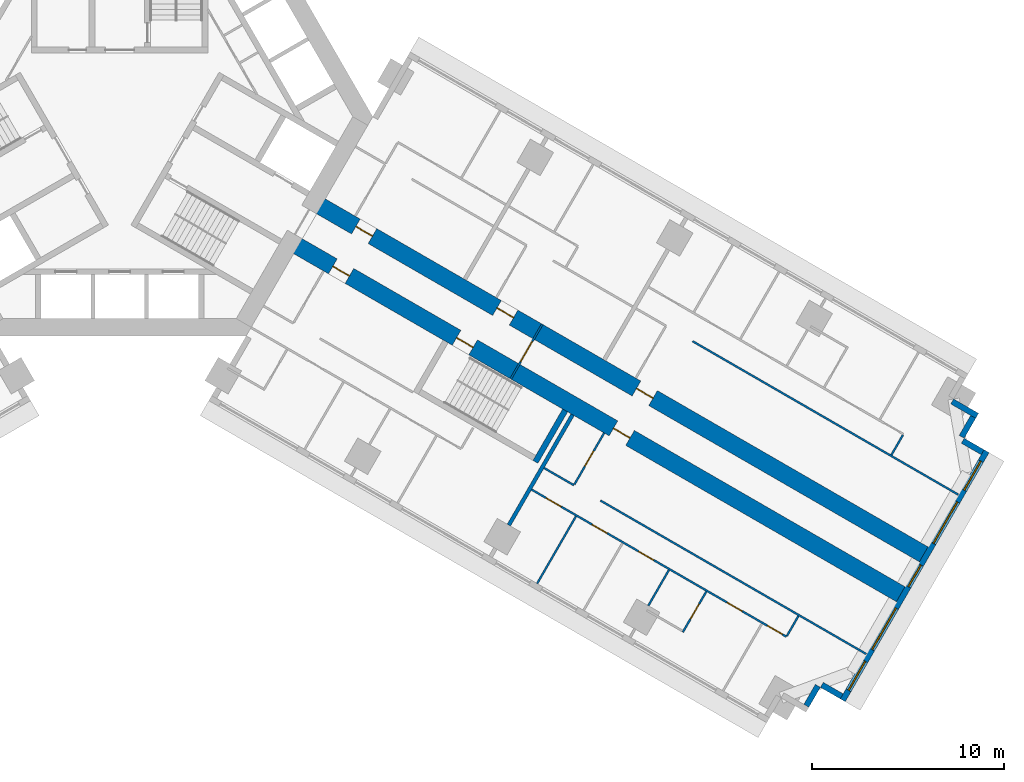
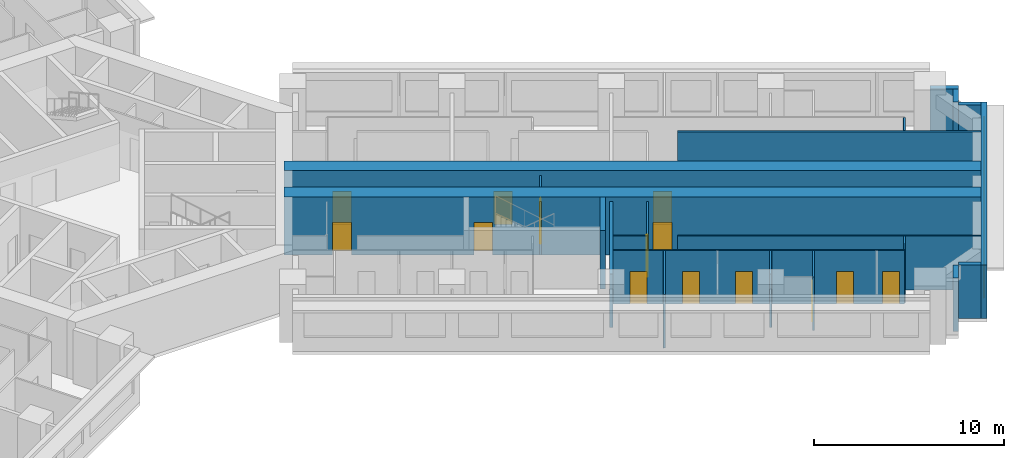
# One storey, part 10 of 14: 21 walls, 14 doors, 5 windows, 19 openings.
"""IFC4 building model written with IfcOpenShell, lengths in metres."""

from ifc_helpers import new_model, si_unit, direction, frame, frame_2d, origin, place, context, subcontext, project, spatial, rectangle, extrude, material, layer, layer_set, type_object, element, fill, save


model = new_model("IFC4")

# Units and contexts
model_context = context("Model", 3, precision=1e-05, world=origin(), true_north=direction((0.0, 1.0)))
body_context = subcontext(model_context, "Body", "Model", "MODEL_VIEW")
ifc_project = project(units=[si_unit("LENGTHUNIT", "METRE"), si_unit("AREAUNIT", "SQUARE_METRE"), si_unit("VOLUMEUNIT", "CUBIC_METRE"), si_unit("PLANEANGLEUNIT", "RADIAN"), si_unit("MASSUNIT", "GRAM", prefix="KILO")], contexts=[model_context])

# Site, building, storey
site_placement = place(None, origin())
site = spatial("IfcSite", under=ifc_project, at=site_placement, CompositionType="ELEMENT")
building_placement = place(site_placement, origin())
building = spatial("IfcBuilding", under=site, at=building_placement, Name="Impinga Residences", CompositionType="ELEMENT")
storey_placement = place(building_placement, frame((0.0, 0.0, 89.75)))
storey = spatial("IfcBuildingStorey", under=building, at=storey_placement, Name="L22", CompositionType="ELEMENT", Elevation=89.75)

# Wall, openings, doors
ifc_material_1 = material(Name="Concrete C70/85", Category="concrete")
ifc_layer_1 = layer(ifc_material_1, 0.89990234375)
ifc_layer_set_1 = layer_set([ifc_layer_1], Name="Concrete C70/85")
wall_type_1 = type_object("IfcWallType", Name="BW1 corridor buttress wall, L05 to L22 900", PredefinedType="SHEAR", material=ifc_layer_set_1)
wall_1_placement = place(storey_placement, frame((10.1103515625, -4.451416015625, 0.0), z_axis=(0.0, 0.0, 1.0), x_axis=(0.866025284237, -0.500000207062, 0.0)))
wall_1 = element("IfcWall", 1, at=wall_1_placement, inside=storey, type_object=wall_type_1, Name="Corridor wall BW1 EC L22", PredefinedType="SHEAR", context=body_context, shape_type="SweptSolid", body=[
    extrude(rectangle(XDim=36.75, YDim=0.89990234375, at=frame_2d((18.375, 0.0))), origin(), (0.0, 0.0, 1.0), 3.75),
])
opening_1_placement = place(wall_1_placement, frame((2.550048828125, 0.0, 0.0)))
opening_1 = element("IfcOpeningElement", 2, at=opening_1_placement, cuts=wall_1, Name="Opening D1", PredefinedType="OPENING", context=body_context, shape_type="SweptSolid", body=[
    extrude(rectangle(XDim=1.0, YDim=2.10009765625, at=frame_2d((0.5, 1.050048828125))), frame((0.0, 0.4599609375, 0.0), z_axis=(0.0, -1.0, 0.0), x_axis=(1.0, 0.0, 0.0)), (0.0, 0.0, 1.0), 0.919921875),
])
opening_2_placement = place(wall_1_placement, frame((11.050048828125, 0.0, 0.0)))
opening_2 = element("IfcOpeningElement", 3, at=opening_2_placement, cuts=wall_1, Name="Opening D1", PredefinedType="OPENING", context=body_context, shape_type="SweptSolid", body=[
    extrude(rectangle(XDim=1.0, YDim=2.10009765625, at=frame_2d((0.5, 1.050048828125))), frame((0.0, 0.4599609375, 0.0), z_axis=(0.0, -1.0, 0.0), x_axis=(1.0, 0.0, 0.0)), (0.0, 0.0, 1.0), 0.919921875),
])
opening_3_placement = place(wall_1_placement, frame((19.449951171875, 0.0, 0.0)))
opening_3 = element("IfcOpeningElement", 4, at=opening_3_placement, cuts=wall_1, Name="Opening D1", PredefinedType="OPENING", context=body_context, shape_type="SweptSolid", body=[
    extrude(rectangle(XDim=1.0, YDim=2.10009765625, at=frame_2d((0.5, 1.050048828125))), frame((0.0, 0.4599609375, 0.0), z_axis=(0.0, -1.0, 0.0), x_axis=(1.0, 0.0, 0.0)), (0.0, 0.0, 1.0), 0.919921875),
])
ifc_material_2 = material(Name="Timber door set", Category="wood")
door_type_1 = type_object("IfcDoorType", Name="D1 apartment entrance door 1000x2100", OperationType="SINGLE_SWING_LEFT", PredefinedType="DOOR", material=ifc_material_2)
door_1_placement = place(opening_1_placement, origin())
door_1 = element("IfcDoor", 5, at=door_1_placement, inside=storey, type_object=door_type_1, Name="Apartment L22-EA1 entrance", OperationType="SINGLE_SWING_LEFT", OverallHeight=2.10009765625, OverallWidth=1.0, PredefinedType="DOOR", context=body_context, shape_type="SweptSolid", body=[
    extrude(rectangle(XDim=1.0, YDim=2.10009765625, at=frame_2d((0.5, 1.050048828125))), frame((0.0, 0.02490234375, 0.0), z_axis=(0.0, -1.0, 0.0), x_axis=(1.0, 0.0, 0.0)), (0.0, 0.0, 1.0), 0.050048828125),
])
fill(opening_1, door_1)
door_2_placement = place(opening_2_placement, origin())
door_2 = element("IfcDoor", 6, at=door_2_placement, inside=storey, type_object=door_type_1, Name="Apartment L22-EA2 entrance", OperationType="SINGLE_SWING_LEFT", OverallHeight=2.10009765625, OverallWidth=1.0, PredefinedType="DOOR", context=body_context, shape_type="SweptSolid", body=[
    extrude(rectangle(XDim=1.0, YDim=2.10009765625, at=frame_2d((0.5, 1.050048828125))), frame((0.0, 0.02490234375, 0.0), z_axis=(0.0, -1.0, 0.0), x_axis=(1.0, 0.0, 0.0)), (0.0, 0.0, 1.0), 0.050048828125),
])
fill(opening_2, door_2)
door_3_placement = place(opening_3_placement, origin())
door_3 = element("IfcDoor", 7, at=door_3_placement, inside=storey, type_object=door_type_1, Name="Apartment L22-EA3 entrance", OperationType="SINGLE_SWING_RIGHT", OverallHeight=2.10009765625, OverallWidth=1.0, PredefinedType="DOOR", context=body_context, shape_type="SweptSolid", body=[
    extrude(rectangle(XDim=1.0, YDim=2.10009765625, at=frame_2d((0.5, 1.050048828125))), frame((0.0, 0.02490234375, 0.0), z_axis=(0.0, -1.0, 0.0), x_axis=(1.0, 0.0, 0.0)), (0.0, 0.0, 1.0), 0.050048828125),
])
fill(opening_3, door_3)

wall_2_placement = place(storey_placement, frame((8.910400390625, -6.530029296875, 0.0), z_axis=(0.0, 0.0, 1.0), x_axis=(0.866025284237, -0.500000207062, 0.0)))
wall_2 = element("IfcWall", 8, at=wall_2_placement, inside=storey, type_object=wall_type_1, Name="Corridor wall BW1 ED L22", PredefinedType="SHEAR", context=body_context, shape_type="SweptSolid", body=[
    extrude(rectangle(XDim=36.75, YDim=0.89990234375, at=frame_2d((18.375, 0.0))), origin(), (0.0, 0.0, 1.0), 3.75),
])
opening_4_placement = place(wall_2_placement, frame((10.0, 0.0, 0.0)))
opening_4 = element("IfcOpeningElement", 9, at=opening_4_placement, cuts=wall_2, Name="Opening D5", PredefinedType="OPENING", context=body_context, shape_type="SweptSolid", body=[
    extrude(rectangle(XDim=1.0, YDim=2.10009765625, at=frame_2d((0.5, 1.050048828125))), frame((0.0, 0.4599609375, 0.0), z_axis=(0.0, -1.0, 0.0), x_axis=(1.0, 0.0, 0.0)), (0.0, 0.0, 1.0), 0.919921875),
])
opening_5_placement = place(wall_2_placement, frame((2.550048828125, 0.0, 0.0)))
opening_5 = element("IfcOpeningElement", 10, at=opening_5_placement, cuts=wall_2, Name="Opening D1", PredefinedType="OPENING", context=body_context, shape_type="SweptSolid", body=[
    extrude(rectangle(XDim=1.0, YDim=2.10009765625, at=frame_2d((0.5, 1.050048828125))), frame((0.0, 0.4599609375, 0.0), z_axis=(0.0, -1.0, 0.0), x_axis=(1.0, 0.0, 0.0)), (0.0, 0.0, 1.0), 0.919921875),
])
opening_6_placement = place(wall_2_placement, frame((19.449951171875, 0.0, 0.0)))
opening_6 = element("IfcOpeningElement", 11, at=opening_6_placement, cuts=wall_2, Name="Opening D1", PredefinedType="OPENING", context=body_context, shape_type="SweptSolid", body=[
    extrude(rectangle(XDim=1.0, YDim=2.10009765625, at=frame_2d((0.5, 1.050048828125))), frame((0.0, 0.4599609375, 0.0), z_axis=(0.0, -1.0, 0.0), x_axis=(1.0, 0.0, 0.0)), (0.0, 0.0, 1.0), 0.919921875),
])
door_4_placement = place(opening_5_placement, origin())
door_4 = element("IfcDoor", 12, at=door_4_placement, inside=storey, type_object=door_type_1, Name="Apartment L22-EF1 entrance", OperationType="SINGLE_SWING_LEFT", OverallHeight=2.10009765625, OverallWidth=1.0, PredefinedType="DOOR", context=body_context, shape_type="SweptSolid", body=[
    extrude(rectangle(XDim=1.0, YDim=2.10009765625, at=frame_2d((0.5, 1.050048828125))), frame((0.0, 0.02490234375, 0.0), z_axis=(0.0, -1.0, 0.0), x_axis=(1.0, 0.0, 0.0)), (0.0, 0.0, 1.0), 0.050048828125),
])
fill(opening_5, door_4)
door_5_placement = place(opening_6_placement, origin())
door_5 = element("IfcDoor", 13, at=door_5_placement, inside=storey, type_object=door_type_1, Name="Apartment L22-EF2 entrance", OperationType="SINGLE_SWING_RIGHT", OverallHeight=2.10009765625, OverallWidth=1.0, PredefinedType="DOOR", context=body_context, shape_type="SweptSolid", body=[
    extrude(rectangle(XDim=1.0, YDim=2.10009765625, at=frame_2d((0.5, 1.050048828125))), frame((0.0, 0.02490234375, 0.0), z_axis=(0.0, -1.0, 0.0), x_axis=(1.0, 0.0, 0.0)), (0.0, 0.0, 1.0), 0.050048828125),
])
fill(opening_6, door_5)
door_type_2 = type_object("IfcDoorType", Name="D5 stair door 1000x2100", OperationType="SINGLE_SWING_LEFT", PredefinedType="DOOR", material=ifc_material_2)
door_6_placement = place(opening_4_placement, origin())
door_6 = element("IfcDoor", 14, at=door_6_placement, inside=storey, type_object=door_type_2, Name="Wing stair door E", OperationType="SINGLE_SWING_LEFT", OverallHeight=2.10009765625, OverallWidth=1.0, PredefinedType="DOOR", context=body_context, shape_type="SweptSolid", body=[
    extrude(rectangle(XDim=1.0, YDim=2.10009765625, at=frame_2d((0.5, 1.050048828125))), frame((0.0, 0.02490234375, 0.0), z_axis=(0.0, -1.0, 0.0), x_axis=(1.0, 0.0, 0.0)), (0.0, 0.0, 1.0), 0.050048828125),
])
fill(opening_4, door_6)

# Wall, opening, door
ifc_material_3 = material(Name="Concrete blockwork", Category="masonry")
ifc_layer_2 = layer(ifc_material_3, 0.10009765625)
ifc_layer_set_2 = layer_set([ifc_layer_2], Name="CP1 core room partition, blockwork 100")
wall_type_2 = type_object("IfcWallType", Name="CP1 core room partition, blockwork 100", PredefinedType="PARTITIONING", material=ifc_layer_set_2)
wall_3_placement = place(storey_placement, frame((22.042724609375, -10.821044921875, 0.0), z_axis=(0.0, 0.0, 1.0), x_axis=(-0.50002983664, -0.866008176907, 0.0)))
wall_3 = element("IfcWall", 15, at=wall_3_placement, inside=storey, type_object=wall_type_2, Name="Core room partition, blockwork L22:E:SCR", PredefinedType="PARTITIONING", context=body_context, shape_type="SweptSolid", body=[
    extrude(rectangle(XDim=3.300048828125, YDim=0.10009765625, at=frame_2d((1.64990234375, 0.0))), origin(), (0.0, 0.0, 1.0), 3.449951171875),
])
opening_7_placement = place(wall_3_placement, frame((1.050048828125, 0.0, 0.0)))
opening_7 = element("IfcOpeningElement", 16, at=opening_7_placement, cuts=wall_3, Name="Opening D3", PredefinedType="OPENING", context=body_context, shape_type="SweptSolid", body=[
    extrude(rectangle(XDim=1.199951171875, YDim=2.10009765625, at=frame_2d((0.60009765625, 1.050048828125))), frame((0.0, 0.06005859375, 0.0), z_axis=(0.0, -1.0, 0.0), x_axis=(1.0, 0.0, 0.0)), (0.0, 0.0, 1.0), 0.1201171875),
])
door_type_3 = type_object("IfcDoorType", Name="D3 room door, leaf and a half 1200x2100", OperationType="DOUBLE_SWING_LEFT", PredefinedType="DOOR", material=ifc_material_2)
door_7_placement = place(opening_7_placement, origin())
door_7 = element("IfcDoor", 17, at=door_7_placement, inside=storey, type_object=door_type_3, Name="Corridor smoke door E", OperationType="DOUBLE_SWING_LEFT", OverallHeight=2.10009765625, OverallWidth=1.199951171875, PredefinedType="DOOR", context=body_context, shape_type="SweptSolid", body=[
    extrude(rectangle(XDim=1.199951171875, YDim=2.10009765625, at=frame_2d((0.60009765625, 1.050048828125))), frame((0.0, 0.02490234375, 0.0), z_axis=(0.0, -1.0, 0.0), x_axis=(1.0, 0.0, 0.0)), (0.0, 0.0, 1.0), 0.050048828125),
])
fill(opening_7, door_7)

# Walls
ifc_material_4 = material(Name="Terracotta rainscreen on blockwork", Category="masonry")
ifc_layer_3 = layer(ifc_material_4, 0.300048828125)
ifc_layer_set_3 = layer_set([ifc_layer_3], Name="EW1 external wall, terracotta rainscreen on blockwork 300")
wall_type_3 = type_object("IfcWallType", Name="EW1 external wall, terracotta rainscreen on blockwork 300", PredefinedType="SOLIDWALL", material=ifc_layer_set_3)
wall_4_placement = place(storey_placement, frame((43.42333984375, -14.8515625, 0.0), z_axis=(0.0, 0.0, 1.0), x_axis=(0.866031096941, -0.499990139034, 0.0)))
element("IfcWall", 18, at=wall_4_placement, inside=storey, type_object=wall_type_3, Name="External wall EW1 L22", PredefinedType="SOLIDWALL", context=body_context, shape_type="SweptSolid", body=[
    extrude(rectangle(XDim=1.5, YDim=0.300048828125, at=frame_2d((0.75, 0.0))), origin(), (0.0, 0.0, 1.0), 3.449951171875),
])
wall_5_placement = place(storey_placement, frame((44.517578125, -15.65625, 0.0), z_axis=(0.0, 0.0, 1.0), x_axis=(-0.500033551112, -0.866006032174, 0.0)))
element("IfcWall", 19, at=wall_5_placement, inside=storey, type_object=wall_type_3, Name="External wall EW1 L22", PredefinedType="SOLIDWALL", context=body_context, shape_type="SweptSolid", body=[
    extrude(rectangle(XDim=1.2001953125, YDim=0.300048828125, at=frame_2d((0.60009765625, 0.0))), origin(), (0.0, 0.0, 1.0), 3.449951171875),
])
wall_6_placement = place(storey_placement, frame((43.976806640625, -16.903076171875, 0.0), z_axis=(0.0, 0.0, 1.0), x_axis=(0.866059708757, -0.499940577336, 0.0)))
element("IfcWall", 20, at=wall_6_placement, inside=storey, type_object=wall_type_3, Name="External wall EW1 L22", PredefinedType="SOLIDWALL", context=body_context, shape_type="SweptSolid", body=[
    extrude(rectangle(XDim=1.195068359375, YDim=0.300048828125, at=frame_2d((0.59765625, 0.0))), origin(), (0.0, 0.0, 1.0), 3.449951171875),
])

# Wall, openings, windows
wall_7_placement = place(storey_placement, frame((45.216552734375, -17.445556640625, 0.0), z_axis=(0.0, 0.0, 1.0), x_axis=(-0.499997186618, -0.866027028085, 0.0)))
wall_7 = element("IfcWall", 21, at=wall_7_placement, inside=storey, type_object=wall_type_3, Name="External wall EW1 L22", PredefinedType="SOLIDWALL", context=body_context, shape_type="SweptSolid", body=[
    extrude(rectangle(XDim=15.0, YDim=0.300048828125, at=frame_2d((7.5, 0.0))), origin(), (0.0, 0.0, 1.0), 3.449951171875),
])
opening_8_placement = place(wall_7_placement, frame((0.60009765625, 0.0, 0.89990234375)))
opening_8 = element("IfcOpeningElement", 22, at=opening_8_placement, cuts=wall_7, Name="Opening W1", PredefinedType="OPENING", context=body_context, shape_type="SweptSolid", body=[
    extrude(rectangle(XDim=1.75, YDim=2.050048828125, at=frame_2d((0.875, 1.02490234375))), frame((0.0, 0.159912109375, 0.0), z_axis=(0.0, -1.0, 0.0), x_axis=(1.0, 0.0, 0.0)), (0.0, 0.0, 1.0), 0.320068359375),
])
opening_9_placement = place(wall_7_placement, frame((3.050048828125, 0.0, 0.89990234375)))
opening_9 = element("IfcOpeningElement", 23, at=opening_9_placement, cuts=wall_7, Name="Opening W2", PredefinedType="OPENING", context=body_context, shape_type="SweptSolid", body=[
    extrude(rectangle(XDim=2.5, YDim=2.050048828125, at=frame_2d((1.25, 1.02490234375))), frame((0.0, 0.159912109375, 0.0), z_axis=(0.0, -1.0, 0.0), x_axis=(1.0, 0.0, 0.0)), (0.0, 0.0, 1.0), 0.320068359375),
])
opening_10_placement = place(wall_7_placement, frame((6.85009765625, 0.0, 0.89990234375)))
opening_10 = element("IfcOpeningElement", 24, at=opening_10_placement, cuts=wall_7, Name="Opening WE1", PredefinedType="OPENING", context=body_context, shape_type="SweptSolid", body=[
    extrude(rectangle(XDim=1.300048828125, YDim=2.050048828125, at=frame_2d((0.64990234375, 1.02490234375))), frame((0.0, 0.159912109375, 0.0), z_axis=(0.0, -1.0, 0.0), x_axis=(1.0, 0.0, 0.0)), (0.0, 0.0, 1.0), 0.320068359375),
])
opening_11_placement = place(wall_7_placement, frame((9.449951171875, 0.0, 0.89990234375)))
opening_11 = element("IfcOpeningElement", 25, at=opening_11_placement, cuts=wall_7, Name="Opening W2", PredefinedType="OPENING", context=body_context, shape_type="SweptSolid", body=[
    extrude(rectangle(XDim=2.5, YDim=2.050048828125, at=frame_2d((1.25, 1.02490234375))), frame((0.0, 0.159912109375, 0.0), z_axis=(0.0, -1.0, 0.0), x_axis=(1.0, 0.0, 0.0)), (0.0, 0.0, 1.0), 0.320068359375),
])
opening_12_placement = place(wall_7_placement, frame((12.64990234375, 0.0, 0.89990234375)))
opening_12 = element("IfcOpeningElement", 26, at=opening_12_placement, cuts=wall_7, Name="Opening W1", PredefinedType="OPENING", context=body_context, shape_type="SweptSolid", body=[
    extrude(rectangle(XDim=1.75, YDim=2.050048828125, at=frame_2d((0.875, 1.02490234375))), frame((0.0, 0.159912109375, 0.0), z_axis=(0.0, -1.0, 0.0), x_axis=(1.0, 0.0, 0.0)), (0.0, 0.0, 1.0), 0.320068359375),
])
ifc_material_5 = material(Name="Aluminium window, clear double glazing", Category="aluminium")
window_type_1 = type_object("IfcWindowType", Name="W1 ribbon window 1750x2050", PartitioningType="SINGLE_PANEL", PredefinedType="WINDOW", material=ifc_material_5)
window_1_placement = place(opening_8_placement, origin())
window_1 = element("IfcWindow", 27, at=window_1_placement, inside=storey, type_object=window_type_1, Name="Window L22", OverallHeight=2.050048828125, OverallWidth=1.75, PartitioningType="SINGLE_PANEL", PredefinedType="WINDOW", context=body_context, shape_type="SweptSolid", body=[
    extrude(rectangle(XDim=1.75, YDim=2.050048828125, at=frame_2d((0.875, 1.02490234375))), frame((0.0, 0.030029296875, 0.0), z_axis=(0.0, -1.0, 0.0), x_axis=(1.0, 0.0, 0.0)), (0.0, 0.0, 1.0), 0.06005859375),
])
fill(opening_8, window_1)
window_2_placement = place(opening_12_placement, origin())
window_2 = element("IfcWindow", 28, at=window_2_placement, inside=storey, type_object=window_type_1, Name="Window L22", OverallHeight=2.050048828125, OverallWidth=1.75, PartitioningType="SINGLE_PANEL", PredefinedType="WINDOW", context=body_context, shape_type="SweptSolid", body=[
    extrude(rectangle(XDim=1.75, YDim=2.050048828125, at=frame_2d((0.875, 1.02490234375))), frame((0.0, 0.030029296875, 0.0), z_axis=(0.0, -1.0, 0.0), x_axis=(1.0, 0.0, 0.0)), (0.0, 0.0, 1.0), 0.06005859375),
])
fill(opening_12, window_2)
window_type_2 = type_object("IfcWindowType", Name="W2 ribbon window 2500x2050", PartitioningType="SINGLE_PANEL", PredefinedType="WINDOW", material=ifc_material_5)
window_3_placement = place(opening_9_placement, origin())
window_3 = element("IfcWindow", 29, at=window_3_placement, inside=storey, type_object=window_type_2, Name="Window L22", OverallHeight=2.050048828125, OverallWidth=2.5, PartitioningType="SINGLE_PANEL", PredefinedType="WINDOW", context=body_context, shape_type="SweptSolid", body=[
    extrude(rectangle(XDim=2.5, YDim=2.050048828125, at=frame_2d((1.25, 1.02490234375))), frame((0.0, 0.030029296875, 0.0), z_axis=(0.0, -1.0, 0.0), x_axis=(1.0, 0.0, 0.0)), (0.0, 0.0, 1.0), 0.06005859375),
])
fill(opening_9, window_3)
window_4_placement = place(opening_11_placement, origin())
window_4 = element("IfcWindow", 30, at=window_4_placement, inside=storey, type_object=window_type_2, Name="Window L22", OverallHeight=2.050048828125, OverallWidth=2.5, PartitioningType="SINGLE_PANEL", PredefinedType="WINDOW", context=body_context, shape_type="SweptSolid", body=[
    extrude(rectangle(XDim=2.5, YDim=2.050048828125, at=frame_2d((1.25, 1.02490234375))), frame((0.0, 0.030029296875, 0.0), z_axis=(0.0, -1.0, 0.0), x_axis=(1.0, 0.0, 0.0)), (0.0, 0.0, 1.0), 0.06005859375),
])
fill(opening_11, window_4)
window_type_3 = type_object("IfcWindowType", Name="WE1 corridor window 1300x2050", PartitioningType="SINGLE_PANEL", PredefinedType="WINDOW", material=ifc_material_5)
window_5_placement = place(opening_10_placement, origin())
window_5 = element("IfcWindow", 31, at=window_5_placement, inside=storey, type_object=window_type_3, Name="Window L22", OverallHeight=2.050048828125, OverallWidth=1.300048828125, PartitioningType="SINGLE_PANEL", PredefinedType="WINDOW", context=body_context, shape_type="SweptSolid", body=[
    extrude(rectangle(XDim=1.300048828125, YDim=2.050048828125, at=frame_2d((0.64990234375, 1.02490234375))), frame((0.0, 0.030029296875, 0.0), z_axis=(0.0, -1.0, 0.0), x_axis=(1.0, 0.0, 0.0)), (0.0, 0.0, 1.0), 0.06005859375),
])
fill(opening_10, window_5)

# Walls
wall_8_placement = place(storey_placement, frame((37.66162109375, -30.23095703125, 0.0), z_axis=(0.0, 0.0, 1.0), x_axis=(-0.866059708757, 0.499940577336, 0.0)))
element("IfcWall", 32, at=wall_8_placement, inside=storey, type_object=wall_type_3, Name="External wall EW1 L22", PredefinedType="SOLIDWALL", context=body_context, shape_type="SweptSolid", body=[
    extrude(rectangle(XDim=1.195068359375, YDim=0.300048828125, at=frame_2d((0.59765625, 0.0))), origin(), (0.0, 0.0, 1.0), 3.449951171875),
])
wall_9_placement = place(storey_placement, frame((36.41748046875, -29.68603515625, 0.0), z_axis=(0.0, 0.0, 1.0), x_axis=(-0.499969057507, -0.866043267704, 0.0)))
element("IfcWall", 33, at=wall_9_placement, inside=storey, type_object=wall_type_3, Name="External wall EW1 L22", PredefinedType="SOLIDWALL", context=body_context, shape_type="SweptSolid", body=[
    extrude(rectangle(XDim=1.19970703125, YDim=0.300048828125, at=frame_2d((0.599853515625, 0.0))), origin(), (0.0, 0.0, 1.0), 3.449951171875),
])
ifc_material_6 = material(Name="Gypsum board on steel studs", Category="steel")
ifc_layer_4 = layer(ifc_material_6, 0.10009765625)
ifc_layer_set_4 = layer_set([ifc_layer_4], Name="Gypsum board on steel studs")
wall_type_4 = type_object("IfcWallType", Name="IP1 partition 100", PredefinedType="PARTITIONING", material=ifc_layer_set_4)
wall_10_placement = place(storey_placement, frame((29.88037109375, -11.708740234375, 0.0), z_axis=(0.0, 0.0, 1.0), x_axis=(0.866026010844, -0.49999894854, 0.0)))
element("IfcWall", 34, at=wall_10_placement, inside=storey, type_object=wall_type_4, Name="Partition L22-EA3:DIV1", PredefinedType="PARTITIONING", context=body_context, shape_type="SweptSolid", body=[
    extrude(rectangle(XDim=16.0, YDim=0.10009765625, at=frame_2d((8.0, 0.0))), origin(), (0.0, 0.0, 1.0), 3.449951171875),
])
wall_11_placement = place(storey_placement, frame((40.25439453125, -17.640625, 0.0), z_axis=(0.0, 0.0, 1.0), x_axis=(0.499880961361, 0.866094119867, 0.0)))
element("IfcWall", 35, at=wall_11_placement, inside=storey, type_object=wall_type_4, Name="Partition L22-EA3:SE1", PredefinedType="PARTITIONING", context=body_context, shape_type="SweptSolid", body=[
    extrude(rectangle(XDim=1.199951171875, YDim=0.10009765625, at=frame_2d((0.60009765625, 0.0))), origin(), (0.0, 0.0, 1.0), 3.449951171875),
])
wall_12_placement = place(storey_placement, frame((22.1357421875, -18.32275390625, 0.0), z_axis=(0.0, 0.0, 1.0), x_axis=(0.866047807691, -0.499961193289, 0.0)))
element("IfcWall", 36, at=wall_12_placement, inside=storey, type_object=wall_type_4, Name="Partition L22-EF2:DIV0", PredefinedType="PARTITIONING", context=body_context, shape_type="SweptSolid", body=[
    extrude(rectangle(XDim=1.800048828125, YDim=0.10009765625, at=frame_2d((0.89990234375, 0.0))), origin(), (0.0, 0.0, 1.0), 3.449951171875),
])
wall_13_placement = place(storey_placement, frame((25.080322265625, -20.022705078125, 0.0), z_axis=(0.0, 0.0, 1.0), x_axis=(0.866026010844, -0.49999894854, 0.0)))
element("IfcWall", 37, at=wall_13_placement, inside=storey, type_object=wall_type_4, Name="Partition L22-EF2:DIV1", PredefinedType="PARTITIONING", context=body_context, shape_type="SweptSolid", body=[
    extrude(rectangle(XDim=16.0, YDim=0.10009765625, at=frame_2d((8.0, 0.0))), origin(), (0.0, 0.0, 1.0), 3.449951171875),
])

# Wall, openings, doors
wall_14_placement = place(storey_placement, frame((21.48583984375, -19.448486328125, 0.0), z_axis=(0.0, 0.0, 1.0), x_axis=(0.866023490266, -0.500003314297, 0.0)))
wall_14 = element("IfcWall", 38, at=wall_14_placement, inside=storey, type_object=wall_type_4, Name="Partition L22-EF2:STRIP", PredefinedType="PARTITIONING", context=body_context, shape_type="SweptSolid", body=[
    extrude(rectangle(XDim=15.35009765625, YDim=0.10009765625, at=frame_2d((7.675048828125, 0.0))), origin(), (0.0, 0.0, 1.0), 3.449951171875),
])
opening_13_placement = place(wall_14_placement, frame((0.875, 0.0, 0.0)))
opening_13 = element("IfcOpeningElement", 39, at=opening_13_placement, cuts=wall_14, Name="Opening D2", PredefinedType="OPENING", context=body_context, shape_type="SweptSolid", body=[
    extrude(rectangle(XDim=0.89990234375, YDim=2.10009765625, at=frame_2d((0.449951171875, 1.050048828125))), frame((0.0, 0.06005859375, 0.0), z_axis=(0.0, -1.0, 0.0), x_axis=(1.0, 0.0, 0.0)), (0.0, 0.0, 1.0), 0.1201171875),
])
opening_14_placement = place(wall_14_placement, frame((3.64990234375, 0.0, 0.0)))
opening_14 = element("IfcOpeningElement", 40, at=opening_14_placement, cuts=wall_14, Name="Opening D2", PredefinedType="OPENING", context=body_context, shape_type="SweptSolid", body=[
    extrude(rectangle(XDim=0.89990234375, YDim=2.10009765625, at=frame_2d((0.449951171875, 1.050048828125))), frame((0.0, 0.06005859375, 0.0), z_axis=(0.0, -1.0, 0.0), x_axis=(1.0, 0.0, 0.0)), (0.0, 0.0, 1.0), 0.1201171875),
])
opening_15_placement = place(wall_14_placement, frame((6.449951171875, 0.0, 0.0)))
opening_15 = element("IfcOpeningElement", 41, at=opening_15_placement, cuts=wall_14, Name="Opening D2", PredefinedType="OPENING", context=body_context, shape_type="SweptSolid", body=[
    extrude(rectangle(XDim=0.89990234375, YDim=2.10009765625, at=frame_2d((0.449951171875, 1.050048828125))), frame((0.0, 0.06005859375, 0.0), z_axis=(0.0, -1.0, 0.0), x_axis=(1.0, 0.0, 0.0)), (0.0, 0.0, 1.0), 0.1201171875),
])
opening_16_placement = place(wall_14_placement, frame((11.77490234375, 0.0, 0.0)))
opening_16 = element("IfcOpeningElement", 42, at=opening_16_placement, cuts=wall_14, Name="Opening D2", PredefinedType="OPENING", context=body_context, shape_type="SweptSolid", body=[
    extrude(rectangle(XDim=0.89990234375, YDim=2.10009765625, at=frame_2d((0.449951171875, 1.050048828125))), frame((0.0, 0.06005859375, 0.0), z_axis=(0.0, -1.0, 0.0), x_axis=(1.0, 0.0, 0.0)), (0.0, 0.0, 1.0), 0.1201171875),
])
opening_17_placement = place(wall_14_placement, frame((14.199951171875, 0.0, 0.0)))
opening_17 = element("IfcOpeningElement", 43, at=opening_17_placement, cuts=wall_14, Name="Opening D2", PredefinedType="OPENING", context=body_context, shape_type="SweptSolid", body=[
    extrude(rectangle(XDim=0.89990234375, YDim=2.10009765625, at=frame_2d((0.449951171875, 1.050048828125))), frame((0.0, 0.06005859375, 0.0), z_axis=(0.0, -1.0, 0.0), x_axis=(1.0, 0.0, 0.0)), (0.0, 0.0, 1.0), 0.1201171875),
])
door_type_4 = type_object("IfcDoorType", Name="D2 internal door 900x2100", OperationType="SINGLE_SWING_LEFT", PredefinedType="DOOR", material=ifc_material_2)
door_8_placement = place(opening_13_placement, origin())
door_8 = element("IfcDoor", 44, at=door_8_placement, inside=storey, type_object=door_type_4, Name="Apartment L22-EF2 room door", OperationType="SINGLE_SWING_LEFT", OverallHeight=2.10009765625, OverallWidth=0.89990234375, PredefinedType="DOOR", context=body_context, shape_type="SweptSolid", body=[
    extrude(rectangle(XDim=0.89990234375, YDim=2.10009765625, at=frame_2d((0.449951171875, 1.050048828125))), frame((0.0, 0.02490234375, 0.0), z_axis=(0.0, -1.0, 0.0), x_axis=(1.0, 0.0, 0.0)), (0.0, 0.0, 1.0), 0.050048828125),
])
fill(opening_13, door_8)
door_9_placement = place(opening_14_placement, origin())
door_9 = element("IfcDoor", 45, at=door_9_placement, inside=storey, type_object=door_type_4, Name="Apartment L22-EF2 room door", OperationType="SINGLE_SWING_LEFT", OverallHeight=2.10009765625, OverallWidth=0.89990234375, PredefinedType="DOOR", context=body_context, shape_type="SweptSolid", body=[
    extrude(rectangle(XDim=0.89990234375, YDim=2.10009765625, at=frame_2d((0.449951171875, 1.050048828125))), frame((0.0, 0.02490234375, 0.0), z_axis=(0.0, -1.0, 0.0), x_axis=(1.0, 0.0, 0.0)), (0.0, 0.0, 1.0), 0.050048828125),
])
fill(opening_14, door_9)
door_10_placement = place(opening_15_placement, origin())
door_10 = element("IfcDoor", 46, at=door_10_placement, inside=storey, type_object=door_type_4, Name="Apartment L22-EF2 room door", OperationType="SINGLE_SWING_LEFT", OverallHeight=2.10009765625, OverallWidth=0.89990234375, PredefinedType="DOOR", context=body_context, shape_type="SweptSolid", body=[
    extrude(rectangle(XDim=0.89990234375, YDim=2.10009765625, at=frame_2d((0.449951171875, 1.050048828125))), frame((0.0, 0.02490234375, 0.0), z_axis=(0.0, -1.0, 0.0), x_axis=(1.0, 0.0, 0.0)), (0.0, 0.0, 1.0), 0.050048828125),
])
fill(opening_15, door_10)
door_11_placement = place(opening_16_placement, origin())
door_11 = element("IfcDoor", 47, at=door_11_placement, inside=storey, type_object=door_type_4, Name="Apartment L22-EF2 room door", OperationType="SINGLE_SWING_RIGHT", OverallHeight=2.10009765625, OverallWidth=0.89990234375, PredefinedType="DOOR", context=body_context, shape_type="SweptSolid", body=[
    extrude(rectangle(XDim=0.89990234375, YDim=2.10009765625, at=frame_2d((0.449951171875, 1.050048828125))), frame((0.0, 0.02490234375, 0.0), z_axis=(0.0, -1.0, 0.0), x_axis=(1.0, 0.0, 0.0)), (0.0, 0.0, 1.0), 0.050048828125),
])
fill(opening_16, door_11)
door_12_placement = place(opening_17_placement, origin())
door_12 = element("IfcDoor", 48, at=door_12_placement, inside=storey, type_object=door_type_4, Name="Apartment L22-EF2 room door", OperationType="SINGLE_SWING_RIGHT", OverallHeight=2.10009765625, OverallWidth=0.89990234375, PredefinedType="DOOR", context=body_context, shape_type="SweptSolid", body=[
    extrude(rectangle(XDim=0.89990234375, YDim=2.10009765625, at=frame_2d((0.449951171875, 1.050048828125))), frame((0.0, 0.02490234375, 0.0), z_axis=(0.0, -1.0, 0.0), x_axis=(1.0, 0.0, 0.0)), (0.0, 0.0, 1.0), 0.050048828125),
])
fill(opening_17, door_12)

# Wall
wall_15_placement = place(storey_placement, frame((35.404296875, -26.041015625, 0.0), z_axis=(0.0, 0.0, 1.0), x_axis=(-0.500033551112, -0.866006032174, 0.0)))
element("IfcWall", 49, at=wall_15_placement, inside=storey, type_object=wall_type_4, Name="Partition L22-EF2:SE1", PredefinedType="PARTITIONING", context=body_context, shape_type="SweptSolid", body=[
    extrude(rectangle(XDim=1.2001953125, YDim=0.10009765625, at=frame_2d((0.60009765625, 0.0))), origin(), (0.0, 0.0, 1.0), 3.449951171875),
])

# Wall, opening, door
wall_16_placement = place(storey_placement, frame((25.269775390625, -16.49462890625, 0.0), z_axis=(0.0, 0.0, 1.0), x_axis=(-0.49999285859, -0.86602952684, 0.0)))
wall_16 = element("IfcWall", 50, at=wall_16_placement, inside=storey, type_object=wall_type_4, Name="Partition L22-EF2:IB1", PredefinedType="PARTITIONING", context=body_context, shape_type="SweptSolid", body=[
    extrude(rectangle(XDim=3.10009765625, YDim=0.10009765625, at=frame_2d((1.550048828125, 0.0))), origin(), (0.0, 0.0, 1.0), 3.449951171875),
])
opening_18_placement = place(wall_16_placement, frame((1.10009765625, 0.0, 0.0)))
opening_18 = element("IfcOpeningElement", 51, at=opening_18_placement, cuts=wall_16, Name="Opening D2", PredefinedType="OPENING", context=body_context, shape_type="SweptSolid", body=[
    extrude(rectangle(XDim=0.89990234375, YDim=2.10009765625, at=frame_2d((0.449951171875, 1.050048828125))), frame((0.0, 0.06005859375, 0.0), z_axis=(0.0, -1.0, 0.0), x_axis=(1.0, 0.0, 0.0)), (0.0, 0.0, 1.0), 0.1201171875),
])
door_13_placement = place(opening_18_placement, origin())
door_13 = element("IfcDoor", 52, at=door_13_placement, inside=storey, type_object=door_type_4, Name="Apartment L22-EF2 bathroom door", OperationType="SINGLE_SWING_LEFT", OverallHeight=2.10009765625, OverallWidth=0.89990234375, PredefinedType="DOOR", context=body_context, shape_type="SweptSolid", body=[
    extrude(rectangle(XDim=0.89990234375, YDim=2.10009765625, at=frame_2d((0.449951171875, 1.050048828125))), frame((0.0, 0.02490234375, 0.0), z_axis=(0.0, -1.0, 0.0), x_axis=(1.0, 0.0, 0.0)), (0.0, 0.0, 1.0), 0.050048828125),
])
fill(opening_18, door_13)

# Walls
wall_17_placement = place(storey_placement, frame((23.799072265625, -20.841796875, 0.0), z_axis=(0.0, 0.0, 1.0), x_axis=(-0.499990325971, -0.866030989016, 0.0)))
element("IfcWall", 53, at=wall_17_placement, inside=storey, type_object=wall_type_4, Name="Partition L22-EF2:OB1", PredefinedType="PARTITIONING", context=body_context, shape_type="SweptSolid", body=[
    extrude(rectangle(XDim=4.0498046875, YDim=0.10009765625, at=frame_2d((2.02490234375, 0.0))), origin(), (0.0, 0.0, 1.0), 3.449951171875),
])
wall_18_placement = place(storey_placement, frame((28.64892578125, -23.641845703125, 0.0), z_axis=(0.0, 0.0, 1.0), x_axis=(-0.500095966228, -0.865969990567, 0.0)))
element("IfcWall", 54, at=wall_18_placement, inside=storey, type_object=wall_type_4, Name="Partition L22-EF2:OB3", PredefinedType="PARTITIONING", context=body_context, shape_type="SweptSolid", body=[
    extrude(rectangle(XDim=2.14990234375, YDim=0.10009765625, at=frame_2d((1.074951171875, 0.0))), origin(), (0.0, 0.0, 1.0), 3.449951171875),
])

# Wall, opening, door
wall_19_placement = place(storey_placement, frame((30.597412109375, -24.766845703125, 0.0), z_axis=(0.0, 0.0, 1.0), x_axis=(-0.500018594424, -0.866014668023, 0.0)))
wall_19 = element("IfcWall", 55, at=wall_19_placement, inside=storey, type_object=wall_type_4, Name="Partition L22-EF2:EN1", PredefinedType="PARTITIONING", context=body_context, shape_type="SweptSolid", body=[
    extrude(rectangle(XDim=2.4501953125, YDim=0.10009765625, at=frame_2d((1.22509765625, 0.0))), origin(), (0.0, 0.0, 1.0), 3.449951171875),
])
opening_19_placement = place(wall_19_placement, frame((0.75, 0.0, 0.0)))
opening_19 = element("IfcOpeningElement", 56, at=opening_19_placement, cuts=wall_19, Name="Opening D2", PredefinedType="OPENING", context=body_context, shape_type="SweptSolid", body=[
    extrude(rectangle(XDim=0.89990234375, YDim=2.10009765625, at=frame_2d((0.449951171875, 1.050048828125))), frame((0.0, 0.06005859375, 0.0), z_axis=(0.0, -1.0, 0.0), x_axis=(1.0, 0.0, 0.0)), (0.0, 0.0, 1.0), 0.1201171875),
])
door_14_placement = place(opening_19_placement, origin())
door_14 = element("IfcDoor", 57, at=door_14_placement, inside=storey, type_object=door_type_4, Name="Apartment L22-EF2 en-suite door", OperationType="SINGLE_SWING_LEFT", OverallHeight=2.10009765625, OverallWidth=0.89990234375, PredefinedType="DOOR", context=body_context, shape_type="SweptSolid", body=[
    extrude(rectangle(XDim=0.89990234375, YDim=2.10009765625, at=frame_2d((0.449951171875, 1.050048828125))), frame((0.0, 0.02490234375, 0.0), z_axis=(0.0, -1.0, 0.0), x_axis=(1.0, 0.0, 0.0)), (0.0, 0.0, 1.0), 0.050048828125),
])
fill(opening_19, door_14)

# Walls
ifc_layer_5 = layer(ifc_material_3, 0.199951171875)
ifc_layer_set_5 = layer_set([ifc_layer_5], Name="PW1 party wall between apartments 200")
wall_type_5 = type_object("IfcWallType", Name="PW1 party wall between apartments 200", PredefinedType="SOLIDWALL", material=ifc_layer_set_5)
wall_20_placement = place(storey_placement, frame((23.624267578125, -15.544677734375, 0.0), z_axis=(0.0, 0.0, 1.0), x_axis=(-0.49999681972, -0.866027239912, 0.0)))
element("IfcWall", 58, at=wall_20_placement, inside=storey, type_object=wall_type_5, Name="Party wall between apartments L22-EF1:PARTY", PredefinedType="SOLIDWALL", context=body_context, shape_type="SweptSolid", body=[
    extrude(rectangle(XDim=6.64990234375, YDim=0.199951171875, at=frame_2d((3.324951171875, 0.0))), origin(), (0.0, 0.0, 1.0), 3.449951171875),
])
ifc_material_7 = material(Name="Concrete C60/75", Category="concrete")
ifc_layer_6 = layer(ifc_material_7, 0.300048828125)
ifc_layer_set_6 = layer_set([ifc_layer_6], Name="Concrete C60/75")
wall_type_6 = type_object("IfcWallType", Name="SE1 wing stair enclosure wall 300", PredefinedType="SOLIDWALL", material=ifc_layer_set_6)
wall_21_placement = place(storey_placement, frame((23.234619140625, -15.31982421875, 0.0), z_axis=(0.0, 0.0, 1.0), x_axis=(-0.500026960575, -0.86600983753, 0.0)))
element("IfcWall", 59, at=wall_21_placement, inside=storey, type_object=wall_type_6, Name="Stair enclosure wall SE1 E END1 L22", PredefinedType="SOLIDWALL", context=body_context, shape_type="SweptSolid", body=[
    extrude(rectangle(XDim=3.099853515625, YDim=0.300048828125, at=frame_2d((1.5498046875, 0.0))), origin(), (0.0, 0.0, 1.0), 3.75),
])

save(model, "model.ifc")
